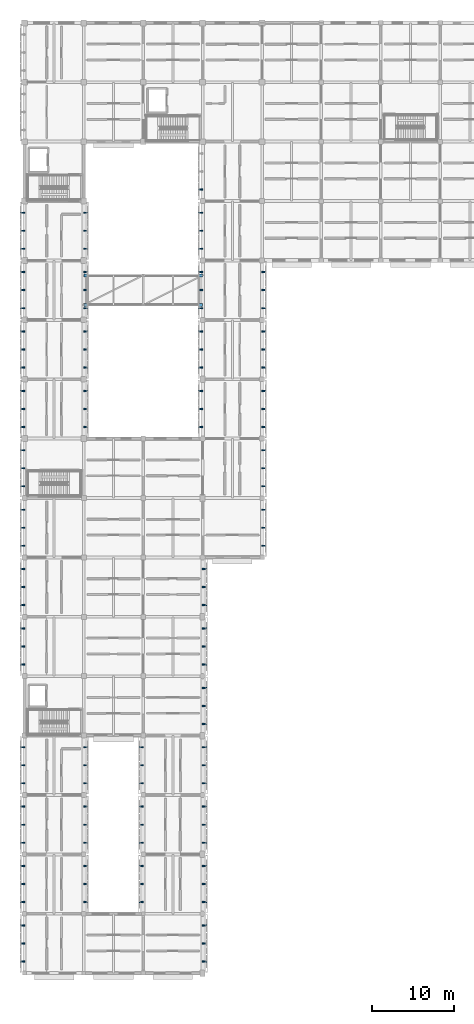
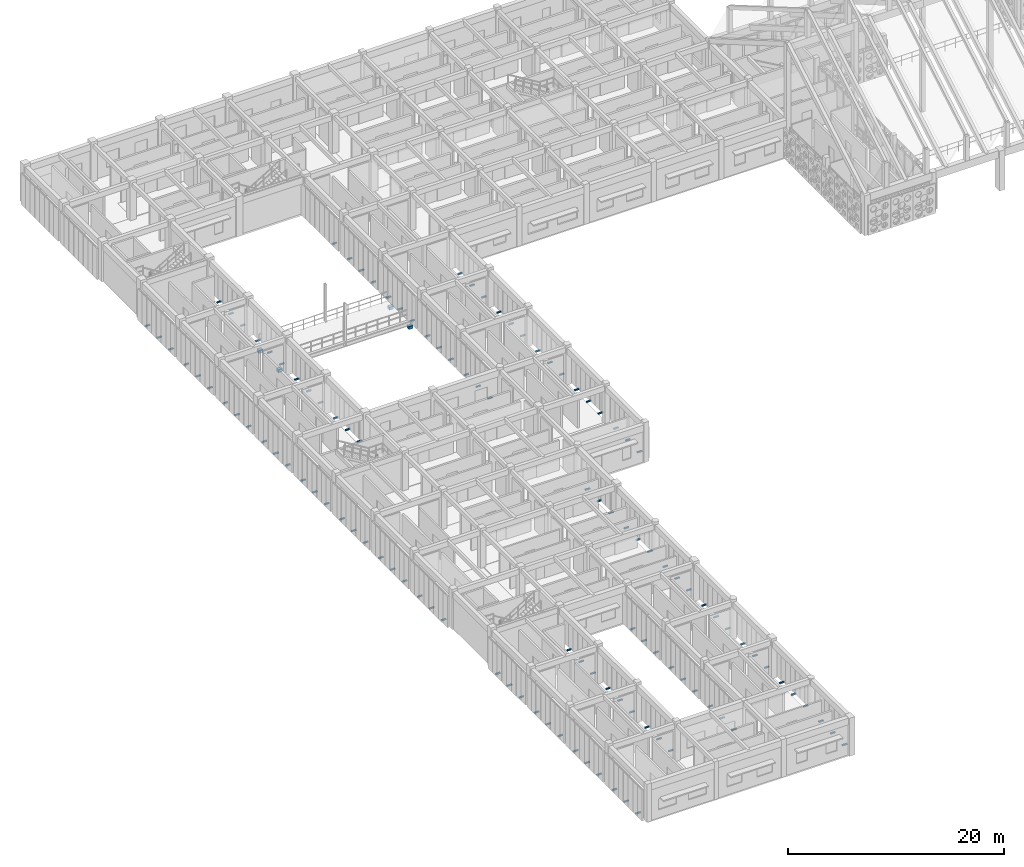
# One storey, part 143 of 171: 119 discrete accessories.
"""IFC4 building model written with IfcOpenShell, lengths in metres."""

from ifc_helpers import new_model, si_unit, direction, frame, origin, origin_2d, place, context, subcontext, project, spatial, rectangle, extrude, material, type_object, element, save


model = new_model("IFC4")

# Units and contexts
model_context = context("Model", 3, precision=1e-05, world=origin(), true_north=direction((0.0, 1.0)))
body_context = subcontext(model_context, "Body", "Model", "MODEL_VIEW")
ifc_project = project(units=[si_unit("LENGTHUNIT", "METRE"), si_unit("AREAUNIT", "SQUARE_METRE"), si_unit("VOLUMEUNIT", "CUBIC_METRE"), si_unit("PLANEANGLEUNIT", "RADIAN"), si_unit("MASSUNIT", "GRAM", prefix="KILO")], contexts=[model_context])

# Site, building, storey
site_placement = place(None, origin())
site = spatial("IfcSite", under=ifc_project, at=site_placement, CompositionType="ELEMENT")
building_placement = place(site_placement, origin())
building = spatial("IfcBuilding", under=site, at=building_placement, Name="Aldebral Square Health Centre", CompositionType="ELEMENT")
storey_placement = place(building_placement, frame((0.0, 0.0, 4.5)))
storey = spatial("IfcBuildingStorey", under=building, at=storey_placement, Name="L01", CompositionType="ELEMENT", Elevation=4.5)

# Discrete accessories
ifc_material_1 = material(Name="Steel S355JR", Category="steel")
discrete_accessory_type_1 = type_object("IfcDiscreteAccessoryType", Name="ACC-BRK-1", PredefinedType="BRACKET", material=ifc_material_1)
for number, where, z_axis, x_axis, name in (
    (1, (-0.22998046875, 5.783935546875, -0.009765625), (0.0, 0.0, 1.0), (0.0, 1.0, 0.0), "L01 finned curtain-wall bracket L01-V6-00-00-W.1"),
    (2, (-0.22998046875, 3.60009765625, -0.009765625), (0.0, 0.0, 1.0), (0.0, 1.0, 0.0), "L01 finned curtain-wall bracket L01-V6-00-00-W.2"),
    (3, (-0.22998046875, 1.416015625, -0.009765625), (0.0, 0.0, 1.0), (0.0, 1.0, 0.0), "L01 finned curtain-wall bracket L01-V6-00-00-W.3"),
    (4, (-0.22998046875, 12.98388671875, -0.009765625), (0.0, 0.0, 1.0), (0.0, 1.0, 0.0), "L01 finned curtain-wall bracket L01-V6-00-01-W.1"),
    (5, (-0.22998046875, 10.800048828125, -0.009765625), (0.0, 0.0, 1.0), (0.0, 1.0, 0.0), "L01 finned curtain-wall bracket L01-V6-00-01-W.2"),
    (6, (-0.22998046875, 8.615966796875, -0.009765625), (0.0, 0.0, 1.0), (0.0, 1.0, 0.0), "L01 finned curtain-wall bracket L01-V6-00-01-W.3"),
    (7, (7.429931640625, 8.615966796875, -0.009765625), (0.0, 0.0, 1.0), (0.0, 1.0, 0.0), "L01 finned curtain-wall bracket L01-V6-00-01-E.1"),
    (8, (7.429931640625, 10.800048828125, -0.009765625), (0.0, 0.0, 1.0), (0.0, 1.0, 0.0), "L01 finned curtain-wall bracket L01-V6-00-01-E.2"),
    (9, (7.429931640625, 12.98388671875, -0.009765625), (0.0, 0.0, 1.0), (0.0, 1.0, 0.0), "L01 finned curtain-wall bracket L01-V6-00-01-E.3"),
    (10, (-0.22998046875, 20.18408203125, -0.009765625), (0.0, 0.0, 1.0), (0.0, 1.0, 0.0), "L01 finned curtain-wall bracket L01-V6-00-02-W.1"),
    (11, (-0.22998046875, 18.0, -0.009765625), (0.0, 0.0, 1.0), (0.0, 1.0, 0.0), "L01 finned curtain-wall bracket L01-V6-00-02-W.2"),
    (12, (-0.22998046875, 15.81591796875, -0.009765625), (0.0, 0.0, 1.0), (0.0, 1.0, 0.0), "L01 finned curtain-wall bracket L01-V6-00-02-W.3"),
    (13, (7.429931640625, 15.81591796875, -0.009765625), (0.0, 0.0, 1.0), (0.0, 1.0, 0.0), "L01 finned curtain-wall bracket L01-V6-00-02-E.1"),
    (14, (7.429931640625, 18.0, -0.009765625), (0.0, 0.0, 1.0), (0.0, 1.0, 0.0), "L01 finned curtain-wall bracket L01-V6-00-02-E.2"),
    (15, (7.429931640625, 20.18408203125, -0.009765625), (0.0, 0.0, 1.0), (0.0, 1.0, 0.0), "L01 finned curtain-wall bracket L01-V6-00-02-E.3"),
    (16, (-0.22998046875, 27.384033203125, -0.009765625), (0.0, 0.0, 1.0), (0.0, 1.0, 0.0), "L01 finned curtain-wall bracket L01-V6-00-03-W.1"),
    (17, (-0.22998046875, 25.199951171875, -0.009765625), (0.0, 0.0, 1.0), (0.0, 1.0, 0.0), "L01 finned curtain-wall bracket L01-V6-00-03-W.2"),
    (18, (-0.22998046875, 23.01611328125, -0.009765625), (0.0, 0.0, 1.0), (0.0, 1.0, 0.0), "L01 finned curtain-wall bracket L01-V6-00-03-W.3"),
    (19, (7.429931640625, 23.01611328125, -0.009765625), (0.0, 0.0, 1.0), (0.0, 1.0, 0.0), "L01 finned curtain-wall bracket L01-V6-00-03-E.1"),
    (20, (7.429931640625, 25.199951171875, -0.009765625), (0.0, 0.0, 1.0), (0.0, 1.0, 0.0), "L01 finned curtain-wall bracket L01-V6-00-03-E.2"),
    (21, (7.429931640625, 27.384033203125, -0.009765625), (0.0, 0.0, 1.0), (0.0, 1.0, 0.0), "L01 finned curtain-wall bracket L01-V6-00-03-E.3"),
    (22, (-0.22998046875, 41.783935546875, -0.009765625), (0.0, 0.0, 1.0), (0.0, 1.0, 0.0), "L01 finned curtain-wall bracket L01-V6-00-05-W.1"),
    (23, (-0.22998046875, 39.60009765625, -0.009765625), (0.0, 0.0, 1.0), (0.0, 1.0, 0.0), "L01 finned curtain-wall bracket L01-V6-00-05-W.2"),
    (24, (-0.22998046875, 37.416015625, -0.009765625), (0.0, 0.0, 1.0), (0.0, 1.0, 0.0), "L01 finned curtain-wall bracket L01-V6-00-05-W.3"),
    (25, (-0.22998046875, 48.98388671875, -0.009765625), (0.0, 0.0, 1.0), (0.0, 1.0, 0.0), "L01 finned curtain-wall bracket L01-V6-00-06-W.1"),
    (26, (-0.22998046875, 46.800048828125, -0.009765625), (0.0, 0.0, 1.0), (0.0, 1.0, 0.0), "L01 finned curtain-wall bracket L01-V6-00-06-W.2"),
    (27, (-0.22998046875, 44.615966796875, -0.009765625), (0.0, 0.0, 1.0), (0.0, 1.0, 0.0), "L01 finned curtain-wall bracket L01-V6-00-06-W.3"),
    (28, (-0.22998046875, 56.18408203125, -0.009765625), (0.0, 0.0, 1.0), (0.0, 1.0, 0.0), "L01 finned curtain-wall bracket L01-V4-00-07-W.1"),
    (29, (-0.22998046875, 54.0, -0.009765625), (0.0, 0.0, 1.0), (0.0, 1.0, 0.0), "L01 finned curtain-wall bracket L01-V4-00-07-W.2"),
    (30, (-0.22998046875, 51.81591796875, -0.009765625), (0.0, 0.0, 1.0), (0.0, 1.0, 0.0), "L01 finned curtain-wall bracket L01-V4-00-07-W.3"),
    (31, (-0.22998046875, 63.384033203125, -0.009765625), (0.0, 0.0, 1.0), (0.0, 1.0, 0.0), "L01 finned curtain-wall bracket L01-V4-00-08-W.1"),
    (32, (-0.22998046875, 61.199951171875, -0.009765625), (0.0, 0.0, 1.0), (0.0, 1.0, 0.0), "L01 finned curtain-wall bracket L01-V4-00-08-W.2"),
    (33, (-0.22998046875, 59.01611328125, -0.009765625), (0.0, 0.0, 1.0), (0.0, 1.0, 0.0), "L01 finned curtain-wall bracket L01-V4-00-08-W.3"),
    (34, (-0.22998046875, 70.583984375, -0.009765625), (0.0, 0.0, 1.0), (0.0, 1.0, 0.0), "L01 finned curtain-wall bracket L01-V4-00-09-W.1"),
    (35, (-0.22998046875, 68.39990234375, -0.009765625), (0.0, 0.0, 1.0), (0.0, 1.0, 0.0), "L01 finned curtain-wall bracket L01-V4-00-09-W.2"),
    (36, (-0.22998046875, 66.216064453125, -0.009765625), (0.0, 0.0, 1.0), (0.0, 1.0, 0.0), "L01 finned curtain-wall bracket L01-V4-00-09-W.3"),
    (37, (7.429931640625, 66.216064453125, -0.009765625), (0.0, 0.0, 1.0), (0.0, 1.0, 0.0), "L01 finned curtain-wall bracket L01-V4-00-09-E.1"),
    (38, (7.429931640625, 68.39990234375, -0.009765625), (0.0, 0.0, 1.0), (0.0, 1.0, 0.0), "L01 finned curtain-wall bracket L01-V4-00-09-E.2"),
    (39, (7.429931640625, 70.583984375, -0.009765625), (0.0, 0.0, 1.0), (0.0, 1.0, 0.0), "L01 finned curtain-wall bracket L01-V4-00-09-E.3"),
    (40, (-0.22998046875, 77.783935546875, -0.009765625), (0.0, 0.0, 1.0), (0.0, 1.0, 0.0), "L01 finned curtain-wall bracket L01-V4-00-10-W.1"),
    (41, (-0.22998046875, 75.60009765625, -0.009765625), (0.0, 0.0, 1.0), (0.0, 1.0, 0.0), "L01 finned curtain-wall bracket L01-V4-00-10-W.2"),
    (42, (-0.22998046875, 73.416015625, -0.009765625), (0.0, 0.0, 1.0), (0.0, 1.0, 0.0), "L01 finned curtain-wall bracket L01-V4-00-10-W.3"),
    (43, (7.429931640625, 73.416015625, -0.009765625), (0.0, 0.0, 1.0), (0.0, 1.0, 0.0), "L01 finned curtain-wall bracket L01-V4-00-10-E.1"),
    (44, (7.429931640625, 75.60009765625, -0.009765625), (0.0, 0.0, 1.0), (0.0, 1.0, 0.0), "L01 finned curtain-wall bracket L01-V4-00-10-E.2"),
    (45, (7.429931640625, 77.783935546875, -0.009765625), (0.0, 0.0, 1.0), (0.0, 1.0, 0.0), "L01 finned curtain-wall bracket L01-V4-00-10-E.3"),
    (46, (-0.22998046875, 84.98388671875, -0.009765625), (0.0, 0.0, 1.0), (0.0, 1.0, 0.0), "L01 finned curtain-wall bracket L01-V4-00-11-W.1"),
    (47, (-0.22998046875, 82.800048828125, -0.009765625), (0.0, 0.0, 1.0), (0.0, 1.0, 0.0), "L01 finned curtain-wall bracket L01-V4-00-11-W.2"),
    (48, (-0.22998046875, 80.615966796875, -0.009765625), (0.0, 0.0, 1.0), (0.0, 1.0, 0.0), "L01 finned curtain-wall bracket L01-V4-00-11-W.3"),
    (49, (7.429931640625, 80.615966796875, -0.009765625), (0.0, 0.0, 1.0), (0.0, 1.0, 0.0), "L01 finned curtain-wall bracket L01-V4-00-11-E.1"),
    (50, (7.429931640625, 82.800048828125, -0.009765625), (0.0, 0.0, 1.0), (0.0, 1.0, 0.0), "L01 finned curtain-wall bracket L01-V4-00-11-E.2"),
    (51, (7.429931640625, 84.98388671875, -0.009765625), (0.0, 0.0, 1.0), (0.0, 1.0, 0.0), "L01 finned curtain-wall bracket L01-V4-00-11-E.3"),
    (52, (-0.22998046875, 92.18408203125, -0.009765625), (0.0, 0.0, 1.0), (0.0, 1.0, 0.0), "L01 finned curtain-wall bracket L01-V4-00-12-W.1"),
    (53, (-0.22998046875, 90.0, -0.009765625), (0.0, 0.0, 1.0), (0.0, 1.0, 0.0), "L01 finned curtain-wall bracket L01-V4-00-12-W.2"),
    (54, (-0.22998046875, 87.81591796875, -0.009765625), (0.0, 0.0, 1.0), (0.0, 1.0, 0.0), "L01 finned curtain-wall bracket L01-V4-00-12-W.3"),
    (55, (7.429931640625, 87.81591796875, -0.009765625), (0.0, 0.0, 1.0), (0.0, 1.0, 0.0), "L01 finned curtain-wall bracket L01-V4-00-12-E.1"),
    (56, (7.429931640625, 90.0, -0.009765625), (0.0, 0.0, 1.0), (0.0, 1.0, 0.0), "L01 finned curtain-wall bracket L01-V4-00-12-E.2"),
    (57, (7.429931640625, 92.18408203125, -0.009765625), (0.0, 0.0, 1.0), (0.0, 1.0, 0.0), "L01 finned curtain-wall bracket L01-V4-00-12-E.3"),
    (58, (21.830078125, 1.416015625, -0.009765625), (0.0, 0.0, 1.0), (0.0, 1.0, 0.0), "L01 finned curtain-wall bracket L01-V6-02-00-E.1"),
    (59, (21.830078125, 3.60009765625, -0.009765625), (0.0, 0.0, 1.0), (0.0, 1.0, 0.0), "L01 finned curtain-wall bracket L01-V6-02-00-E.2"),
    (60, (21.830078125, 5.783935546875, -0.009765625), (0.0, 0.0, 1.0), (0.0, 1.0, 0.0), "L01 finned curtain-wall bracket L01-V6-02-00-E.3"),
    (61, (14.169921875, 12.98388671875, -0.009765625), (0.0, 0.0, 1.0), (0.0, 1.0, 0.0), "L01 finned curtain-wall bracket L01-V6-02-01-W.1"),
    (62, (14.169921875, 10.800048828125, -0.009765625), (0.0, 0.0, 1.0), (0.0, 1.0, 0.0), "L01 finned curtain-wall bracket L01-V6-02-01-W.2"),
    (63, (14.169921875, 8.615966796875, -0.009765625), (0.0, 0.0, 1.0), (0.0, 1.0, 0.0), "L01 finned curtain-wall bracket L01-V6-02-01-W.3"),
    (64, (21.830078125, 8.615966796875, -0.009765625), (0.0, 0.0, 1.0), (0.0, 1.0, 0.0), "L01 finned curtain-wall bracket L01-V6-02-01-E.1"),
    (65, (21.830078125, 10.800048828125, -0.009765625), (0.0, 0.0, 1.0), (0.0, 1.0, 0.0), "L01 finned curtain-wall bracket L01-V6-02-01-E.2"),
    (66, (21.830078125, 12.98388671875, -0.009765625), (0.0, 0.0, 1.0), (0.0, 1.0, 0.0), "L01 finned curtain-wall bracket L01-V6-02-01-E.3"),
    (67, (14.169921875, 20.18408203125, -0.009765625), (0.0, 0.0, 1.0), (0.0, 1.0, 0.0), "L01 finned curtain-wall bracket L01-V6-02-02-W.1"),
    (68, (14.169921875, 18.0, -0.009765625), (0.0, 0.0, 1.0), (0.0, 1.0, 0.0), "L01 finned curtain-wall bracket L01-V6-02-02-W.2"),
    (69, (14.169921875, 15.81591796875, -0.009765625), (0.0, 0.0, 1.0), (0.0, 1.0, 0.0), "L01 finned curtain-wall bracket L01-V6-02-02-W.3"),
    (70, (21.830078125, 15.81591796875, -0.009765625), (0.0, 0.0, 1.0), (0.0, 1.0, 0.0), "L01 finned curtain-wall bracket L01-V6-02-02-E.1"),
    (71, (21.830078125, 18.0, -0.009765625), (0.0, 0.0, 1.0), (0.0, 1.0, 0.0), "L01 finned curtain-wall bracket L01-V6-02-02-E.2"),
    (72, (21.830078125, 20.18408203125, -0.009765625), (0.0, 0.0, 1.0), (0.0, 1.0, 0.0), "L01 finned curtain-wall bracket L01-V6-02-02-E.3"),
    (73, (14.169921875, 27.384033203125, -0.009765625), (0.0, 0.0, 1.0), (0.0, 1.0, 0.0), "L01 finned curtain-wall bracket L01-V6-02-03-W.1"),
    (74, (14.169921875, 25.199951171875, -0.009765625), (0.0, 0.0, 1.0), (0.0, 1.0, 0.0), "L01 finned curtain-wall bracket L01-V6-02-03-W.2"),
    (75, (14.169921875, 23.01611328125, -0.009765625), (0.0, 0.0, 1.0), (0.0, 1.0, 0.0), "L01 finned curtain-wall bracket L01-V6-02-03-W.3"),
    (76, (21.830078125, 23.01611328125, -0.009765625), (0.0, 0.0, 1.0), (0.0, 1.0, 0.0), "L01 finned curtain-wall bracket L01-V6-02-03-E.1"),
    (77, (21.830078125, 25.199951171875, -0.009765625), (0.0, 0.0, 1.0), (0.0, 1.0, 0.0), "L01 finned curtain-wall bracket L01-V6-02-03-E.2"),
    (78, (21.830078125, 27.384033203125, -0.009765625), (0.0, 0.0, 1.0), (0.0, 1.0, 0.0), "L01 finned curtain-wall bracket L01-V6-02-03-E.3"),
    (79, (21.830078125, 30.216064453125, -0.009765625), (0.0, 0.0, 1.0), (0.0, 1.0, 0.0), "L01 finned curtain-wall bracket L01-V6-02-04-E.1"),
    (80, (21.830078125, 32.39990234375, -0.009765625), (0.0, 0.0, 1.0), (0.0, 1.0, 0.0), "L01 finned curtain-wall bracket L01-V6-02-04-E.2"),
    (81, (21.830078125, 34.583984375, -0.009765625), (0.0, 0.0, 1.0), (0.0, 1.0, 0.0), "L01 finned curtain-wall bracket L01-V6-02-04-E.3"),
    (82, (21.830078125, 37.416015625, -0.009765625), (0.0, 0.0, 1.0), (0.0, 1.0, 0.0), "L01 finned curtain-wall bracket L01-V6-02-05-E.1"),
    (83, (21.830078125, 39.60009765625, -0.009765625), (0.0, 0.0, 1.0), (0.0, 1.0, 0.0), "L01 finned curtain-wall bracket L01-V6-02-05-E.2"),
    (84, (21.830078125, 41.783935546875, -0.009765625), (0.0, 0.0, 1.0), (0.0, 1.0, 0.0), "L01 finned curtain-wall bracket L01-V6-02-05-E.3"),
    (85, (21.830078125, 44.615966796875, -0.009765625), (0.0, 0.0, 1.0), (0.0, 1.0, 0.0), "L01 finned curtain-wall bracket L01-V6-02-06-E.1"),
    (86, (21.830078125, 46.800048828125, -0.009765625), (0.0, 0.0, 1.0), (0.0, 1.0, 0.0), "L01 finned curtain-wall bracket L01-V6-02-06-E.2"),
    (87, (21.830078125, 48.98388671875, -0.009765625), (0.0, 0.0, 1.0), (0.0, 1.0, 0.0), "L01 finned curtain-wall bracket L01-V6-02-06-E.3"),
    (88, (29.030029296875, 51.81591796875, -0.009765625), (0.0, 0.0, 1.0), (0.0, 1.0, 0.0), "L01 finned curtain-wall bracket L01-V4-03-07-E.1"),
    (89, (29.030029296875, 54.0, -0.009765625), (0.0, 0.0, 1.0), (0.0, 1.0, 0.0), "L01 finned curtain-wall bracket L01-V4-03-07-E.2"),
    (90, (29.030029296875, 56.18408203125, -0.009765625), (0.0, 0.0, 1.0), (0.0, 1.0, 0.0), "L01 finned curtain-wall bracket L01-V4-03-07-E.3"),
    (91, (29.030029296875, 59.01611328125, -0.009765625), (0.0, 0.0, 1.0), (0.0, 1.0, 0.0), "L01 finned curtain-wall bracket L01-V4-03-08-E.1"),
    (92, (29.030029296875, 61.199951171875, -0.009765625), (0.0, 0.0, 1.0), (0.0, 1.0, 0.0), "L01 finned curtain-wall bracket L01-V4-03-08-E.2"),
    (93, (29.030029296875, 63.384033203125, -0.009765625), (0.0, 0.0, 1.0), (0.0, 1.0, 0.0), "L01 finned curtain-wall bracket L01-V4-03-08-E.3"),
    (94, (21.3701171875, 70.583984375, -0.009765625), (0.0, 0.0, 1.0), (0.0, 1.0, 0.0), "L01 finned curtain-wall bracket L01-V4-03-09-W.1"),
    (95, (21.3701171875, 68.39990234375, -0.009765625), (0.0, 0.0, 1.0), (0.0, 1.0, 0.0), "L01 finned curtain-wall bracket L01-V4-03-09-W.2"),
    (96, (21.3701171875, 66.216064453125, -0.009765625), (0.0, 0.0, 1.0), (0.0, 1.0, 0.0), "L01 finned curtain-wall bracket L01-V4-03-09-W.3"),
    (97, (29.030029296875, 66.216064453125, -0.009765625), (0.0, 0.0, 1.0), (0.0, 1.0, 0.0), "L01 finned curtain-wall bracket L01-V4-03-09-E.1"),
    (98, (29.030029296875, 68.39990234375, -0.009765625), (0.0, 0.0, 1.0), (0.0, 1.0, 0.0), "L01 finned curtain-wall bracket L01-V4-03-09-E.2"),
    (99, (29.030029296875, 70.583984375, -0.009765625), (0.0, 0.0, 1.0), (0.0, 1.0, 0.0), "L01 finned curtain-wall bracket L01-V4-03-09-E.3"),
    (100, (21.3701171875, 77.783935546875, -0.009765625), (0.0, 0.0, 1.0), (0.0, 1.0, 0.0), "L01 finned curtain-wall bracket L01-V4-03-10-W.1"),
    (101, (21.3701171875, 75.60009765625, -0.009765625), (0.0, 0.0, 1.0), (0.0, 1.0, 0.0), "L01 finned curtain-wall bracket L01-V4-03-10-W.2"),
    (102, (21.3701171875, 73.416015625, -0.009765625), (0.0, 0.0, 1.0), (0.0, 1.0, 0.0), "L01 finned curtain-wall bracket L01-V4-03-10-W.3"),
    (103, (29.030029296875, 73.416015625, -0.009765625), (0.0, 0.0, 1.0), (0.0, 1.0, 0.0), "L01 finned curtain-wall bracket L01-V4-03-10-E.1"),
    (104, (29.030029296875, 75.60009765625, -0.009765625), (0.0, 0.0, 1.0), (0.0, 1.0, 0.0), "L01 finned curtain-wall bracket L01-V4-03-10-E.2"),
    (105, (29.030029296875, 77.783935546875, -0.009765625), (0.0, 0.0, 1.0), (0.0, 1.0, 0.0), "L01 finned curtain-wall bracket L01-V4-03-10-E.3"),
    (106, (21.3701171875, 84.98388671875, -0.009765625), (0.0, 0.0, 1.0), (0.0, 1.0, 0.0), "L01 finned curtain-wall bracket L01-V4-03-11-W.1"),
    (107, (21.3701171875, 82.800048828125, -0.009765625), (0.0, 0.0, 1.0), (0.0, 1.0, 0.0), "L01 finned curtain-wall bracket L01-V4-03-11-W.2"),
    (108, (21.3701171875, 80.615966796875, -0.009765625), (0.0, 0.0, 1.0), (0.0, 1.0, 0.0), "L01 finned curtain-wall bracket L01-V4-03-11-W.3"),
    (109, (29.030029296875, 80.615966796875, -0.009765625), (0.0, 0.0, 1.0), (0.0, 1.0, 0.0), "L01 finned curtain-wall bracket L01-V4-03-11-E.1"),
    (110, (29.030029296875, 82.800048828125, -0.009765625), (0.0, 0.0, 1.0), (0.0, 1.0, 0.0), "L01 finned curtain-wall bracket L01-V4-03-11-E.2"),
    (111, (29.030029296875, 84.98388671875, -0.009765625), (0.0, 0.0, 1.0), (0.0, 1.0, 0.0), "L01 finned curtain-wall bracket L01-V4-03-11-E.3"),
    (112, (21.3701171875, 92.18408203125, -0.009765625), (0.0, 0.0, 1.0), (0.0, 1.0, 0.0), "L01 finned curtain-wall bracket L01-V4-03-12-W.1"),
    (113, (21.3701171875, 90.0, -0.009765625), (0.0, 0.0, 1.0), (0.0, 1.0, 0.0), "L01 finned curtain-wall bracket L01-V4-03-12-W.2"),
    (114, (21.3701171875, 87.81591796875, -0.009765625), (0.0, 0.0, 1.0), (0.0, 1.0, 0.0), "L01 finned curtain-wall bracket L01-V4-03-12-W.3"),
    (115, (21.3701171875, 95.01611328125, -0.009765625), (0.0, 0.0, 1.0), (0.0, 1.0, 0.0), "L01 finned curtain-wall bracket L01-V4-03-13-W.3"),
):
    element("IfcDiscreteAccessory", number, at=place(storey_placement, frame(where, z_axis=z_axis, x_axis=x_axis)), inside=storey, type_object=discrete_accessory_type_1, Name=name, PredefinedType="BRACKET", context=body_context, shape_type="SweptSolid", body=[
        extrude(rectangle(XDim=0.159912109375, YDim=0.52001953125, at=origin_2d()), origin(), (0.0, 0.0, 1.0), 0.139892578125),
    ])
ifc_material_2 = material(Name="Concrete C40/50", Category="concrete")
discrete_accessory_type_2 = type_object("IfcDiscreteAccessoryType", Name="ACC-COR-1", PredefinedType="BRACKET", material=ifc_material_2)
for number, where, z_axis, x_axis, name in (
    (116, (7.425048828125, 81.0, -1.02001953125), (0.0, 0.0, 1.0), (1.0, 0.0, 0.0), "West Light Court Bridge L01 450mm sliding bearing corbel seat S1-W"),
    (117, (21.375, 81.0, -1.02001953125), (0.0, 0.0, 1.0), (1.0, 0.0, 0.0), "West Light Court Bridge L01 450mm sliding bearing corbel seat S1-E"),
    (118, (7.425048828125, 84.60009765625, -1.02001953125), (0.0, 0.0, 1.0), (1.0, 0.0, 0.0), "West Light Court Bridge L01 450mm sliding bearing corbel seat S2-W"),
    (119, (21.375, 84.60009765625, -1.02001953125), (0.0, 0.0, 1.0), (1.0, 0.0, 0.0), "West Light Court Bridge L01 450mm sliding bearing corbel seat S2-E"),
):
    element("IfcDiscreteAccessory", number, at=place(storey_placement, frame(where, z_axis=z_axis, x_axis=x_axis)), inside=storey, type_object=discrete_accessory_type_2, Name=name, PredefinedType="BRACKET", context=body_context, shape_type="SweptSolid", body=[
        extrude(rectangle(XDim=0.449951171875, YDim=0.360107421875, at=origin_2d()), origin(), (0.0, 0.0, 1.0), 0.35009765625),
    ])

save(model, "model.ifc")
